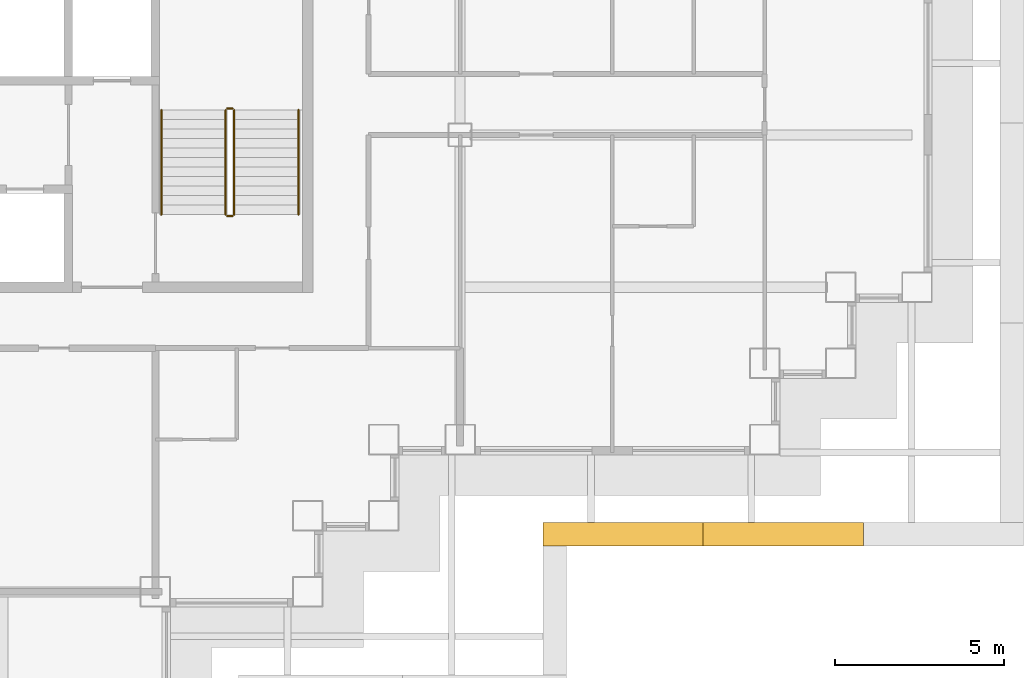
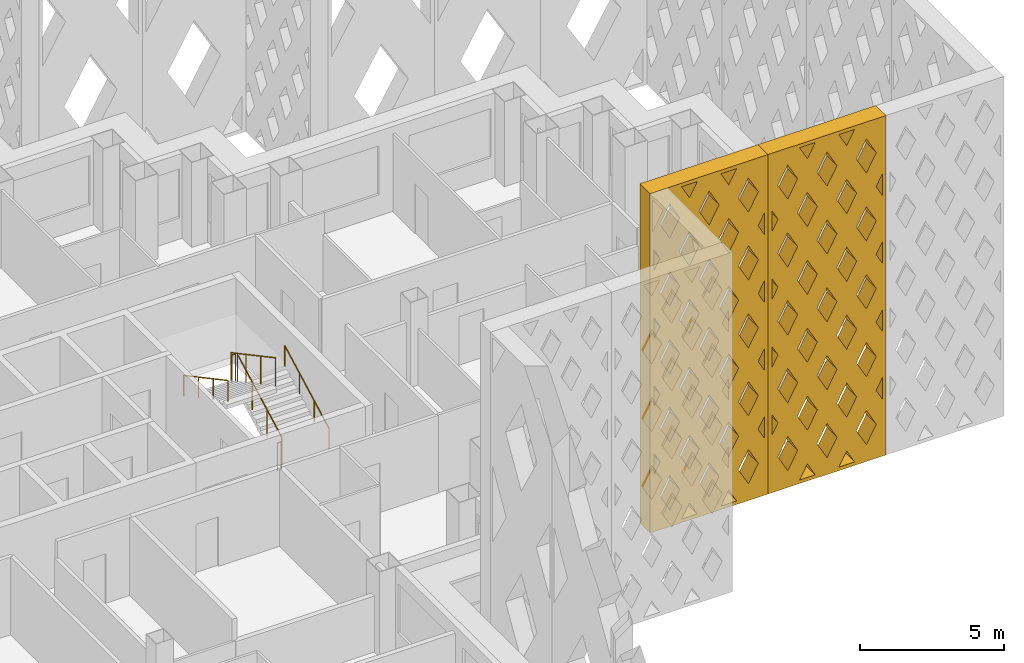
# One storey, part 16 of 21: 6 railings, 2 shading devices.
"""IFC4 building model written with IfcOpenShell, lengths in metres."""

from ifc_helpers import new_model, si_unit, direction, frame, origin, origin_2d, place, context, subcontext, project, spatial, polyline, circle, outline, extrude, material, type_object, element, save


model = new_model("IFC4")

# Units and contexts
model_context = context("Model", 3, precision=1e-05, world=origin(), true_north=direction((0.0, 1.0)))
body_context = subcontext(model_context, "Body", "Model", "MODEL_VIEW")
ifc_project = project(units=[si_unit("LENGTHUNIT", "METRE"), si_unit("AREAUNIT", "SQUARE_METRE"), si_unit("VOLUMEUNIT", "CUBIC_METRE"), si_unit("PLANEANGLEUNIT", "RADIAN"), si_unit("MASSUNIT", "GRAM", prefix="KILO")], contexts=[model_context])

# Site, building, storey
site_placement = place(None, origin())
site = spatial("IfcSite", under=ifc_project, at=site_placement, CompositionType="ELEMENT")
building_placement = place(site_placement, origin())
building = spatial("IfcBuilding", under=site, at=building_placement, Name="Caravel Reach Hotel and Residences", CompositionType="ELEMENT")
storey_placement = place(building_placement, frame((0.0, 0.0, 100.800048828125)))
storey = spatial("IfcBuildingStorey", under=building, at=storey_placement, Name="L24", CompositionType="ELEMENT", Elevation=100.800048828125)

# Shading devices
ifc_material_1 = material(Name="Black powder-coated aluminium", Category="aluminium")
shading_device_type = type_object("IfcShadingDeviceType", Name="Diamond lattice screen panel 4733 x 14400", PredefinedType="USERDEFINED", material=ifc_material_1)
shading_device_1_placement = place(storey_placement, frame((51.949951171875, 15.550048828125, 0.0), z_axis=(0.0, -1.0, 0.0), x_axis=(1.0, 0.0, 0.0)))
element("IfcShadingDevice", 1, at=shading_device_1_placement, inside=storey, type_object=shading_device_type, Name="Lattice screen L24-L27 6.1", ObjectType="SCREEN", PredefinedType="USERDEFINED", context=body_context, shape_type="SweptSolid", body=[
    extrude(outline(polyline([(0.0, 0.0), (4.7333984375, 0.0), (4.7333984375, 14.39990234375), (0.0, 14.39990234375), (0.0, 0.0)]), holes=[polyline([(0.39892578125, 2.8798828125), (0.14990234375, 3.334228515625), (0.14990234375, 2.42578125), (0.39892578125, 2.8798828125)]), polyline([(0.39892578125, 5.760009765625), (0.14990234375, 6.21435546875), (0.14990234375, 5.3056640625), (0.39892578125, 5.760009765625)]), polyline([(0.39892578125, 8.639892578125), (0.14990234375, 9.09423828125), (0.14990234375, 8.185791015625), (0.39892578125, 8.639892578125)]), polyline([(0.39892578125, 11.52001953125), (0.14990234375, 11.974365234375), (0.14990234375, 11.065673828125), (0.39892578125, 11.52001953125)]), polyline([(0.788818359375, 2.16796875), (0.39013671875, 1.43994140625), (0.788818359375, 0.7119140625), (1.187744140625, 1.43994140625), (0.788818359375, 2.16796875)]), polyline([(0.788818359375, 5.048095703125), (0.39013671875, 4.320068359375), (0.788818359375, 3.592041015625), (1.187744140625, 4.320068359375), (0.788818359375, 5.048095703125)]), polyline([(0.788818359375, 7.927978515625), (0.39013671875, 7.199951171875), (0.788818359375, 6.471923828125), (1.187744140625, 7.199951171875), (0.788818359375, 7.927978515625)]), polyline([(0.788818359375, 10.80810546875), (0.39013671875, 10.080078125), (0.788818359375, 9.35205078125), (1.187744140625, 10.080078125), (0.788818359375, 10.80810546875)]), polyline([(0.788818359375, 13.68798828125), (0.39013671875, 12.9599609375), (0.788818359375, 12.23193359375), (1.187744140625, 12.9599609375), (0.788818359375, 13.68798828125)]), polyline([(1.577880859375, 0.72802734375), (1.260986328125, 0.14990234375), (1.89453125, 0.14990234375), (1.577880859375, 0.72802734375)]), polyline([(1.577880859375, 3.608154296875), (1.178955078125, 2.8798828125), (1.577880859375, 2.15185546875), (1.9765625, 2.8798828125), (1.577880859375, 3.608154296875)]), polyline([(1.577880859375, 6.488037109375), (1.178955078125, 5.760009765625), (1.577880859375, 5.031982421875), (1.9765625, 5.760009765625), (1.577880859375, 6.488037109375)]), polyline([(1.577880859375, 9.3681640625), (1.178955078125, 8.639892578125), (1.577880859375, 7.911865234375), (1.9765625, 8.639892578125), (1.577880859375, 9.3681640625)]), polyline([(1.577880859375, 12.248046875), (1.178955078125, 11.52001953125), (1.577880859375, 10.7919921875), (1.9765625, 11.52001953125), (1.577880859375, 12.248046875)]), polyline([(1.577880859375, 13.671875), (1.89453125, 14.25), (1.260986328125, 14.25), (1.577880859375, 13.671875)]), polyline([(2.36669921875, 2.16796875), (1.9677734375, 1.43994140625), (2.36669921875, 0.7119140625), (2.765625, 1.43994140625), (2.36669921875, 2.16796875)]), polyline([(2.36669921875, 5.048095703125), (1.9677734375, 4.320068359375), (2.36669921875, 3.592041015625), (2.765625, 4.320068359375), (2.36669921875, 5.048095703125)]), polyline([(2.36669921875, 7.927978515625), (1.9677734375, 7.199951171875), (2.36669921875, 6.471923828125), (2.765625, 7.199951171875), (2.36669921875, 7.927978515625)]), polyline([(2.36669921875, 10.80810546875), (1.9677734375, 10.080078125), (2.36669921875, 9.35205078125), (2.765625, 10.080078125), (2.36669921875, 10.80810546875)]), polyline([(2.36669921875, 13.68798828125), (1.9677734375, 12.9599609375), (2.36669921875, 12.23193359375), (2.765625, 12.9599609375), (2.36669921875, 13.68798828125)]), polyline([(3.155517578125, 0.72802734375), (2.8388671875, 0.14990234375), (3.47216796875, 0.14990234375), (3.155517578125, 0.72802734375)]), polyline([(3.155517578125, 3.608154296875), (2.756591796875, 2.8798828125), (3.155517578125, 2.15185546875), (3.554443359375, 2.8798828125), (3.155517578125, 3.608154296875)]), polyline([(3.155517578125, 6.488037109375), (2.756591796875, 5.760009765625), (3.155517578125, 5.031982421875), (3.554443359375, 5.760009765625), (3.155517578125, 6.488037109375)]), polyline([(3.155517578125, 9.3681640625), (2.756591796875, 8.639892578125), (3.155517578125, 7.911865234375), (3.554443359375, 8.639892578125), (3.155517578125, 9.3681640625)]), polyline([(3.155517578125, 12.248046875), (2.756591796875, 11.52001953125), (3.155517578125, 10.7919921875), (3.554443359375, 11.52001953125), (3.155517578125, 12.248046875)]), polyline([(3.155517578125, 13.671875), (3.47216796875, 14.25), (2.8388671875, 14.25), (3.155517578125, 13.671875)]), polyline([(3.9443359375, 2.16796875), (3.545654296875, 1.43994140625), (3.9443359375, 0.7119140625), (4.34326171875, 1.43994140625), (3.9443359375, 2.16796875)]), polyline([(3.9443359375, 5.048095703125), (3.545654296875, 4.320068359375), (3.9443359375, 3.592041015625), (4.34326171875, 4.320068359375), (3.9443359375, 5.048095703125)]), polyline([(3.9443359375, 7.927978515625), (3.545654296875, 7.199951171875), (3.9443359375, 6.471923828125), (4.34326171875, 7.199951171875), (3.9443359375, 7.927978515625)]), polyline([(3.9443359375, 10.80810546875), (3.545654296875, 10.080078125), (3.9443359375, 9.35205078125), (4.34326171875, 10.080078125), (3.9443359375, 10.80810546875)]), polyline([(3.9443359375, 13.68798828125), (3.545654296875, 12.9599609375), (3.9443359375, 12.23193359375), (4.34326171875, 12.9599609375), (3.9443359375, 13.68798828125)]), polyline([(4.33447265625, 2.8798828125), (4.583251953125, 2.42578125), (4.583251953125, 3.334228515625), (4.33447265625, 2.8798828125)]), polyline([(4.33447265625, 5.760009765625), (4.583251953125, 5.3056640625), (4.583251953125, 6.21435546875), (4.33447265625, 5.760009765625)]), polyline([(4.33447265625, 8.639892578125), (4.583251953125, 8.185791015625), (4.583251953125, 9.09423828125), (4.33447265625, 8.639892578125)]), polyline([(4.33447265625, 11.52001953125), (4.583251953125, 11.065673828125), (4.583251953125, 11.974365234375), (4.33447265625, 11.52001953125)])]), origin(), (0.0, 0.0, 1.0), 0.699951171875),
])
shading_device_2_placement = place(storey_placement, frame((56.683349609375, 15.550048828125, 0.0), z_axis=(0.0, -1.0, 0.0), x_axis=(1.0, 0.0, 0.0)))
element("IfcShadingDevice", 2, at=shading_device_2_placement, inside=storey, type_object=shading_device_type, Name="Lattice screen L24-L27 6.2", ObjectType="SCREEN", PredefinedType="USERDEFINED", context=body_context, shape_type="SweptSolid", body=[
    extrude(outline(polyline([(0.0, 0.0), (4.7333984375, 0.0), (4.7333984375, 14.39990234375), (0.0, 14.39990234375), (0.0, 0.0)]), holes=[polyline([(0.39892578125, 2.8798828125), (0.14990234375, 3.334228515625), (0.14990234375, 2.42578125), (0.39892578125, 2.8798828125)]), polyline([(0.39892578125, 5.760009765625), (0.14990234375, 6.21435546875), (0.14990234375, 5.3056640625), (0.39892578125, 5.760009765625)]), polyline([(0.39892578125, 8.639892578125), (0.14990234375, 9.09423828125), (0.14990234375, 8.185791015625), (0.39892578125, 8.639892578125)]), polyline([(0.39892578125, 11.52001953125), (0.14990234375, 11.974365234375), (0.14990234375, 11.065673828125), (0.39892578125, 11.52001953125)]), polyline([(0.788818359375, 2.16796875), (0.39013671875, 1.43994140625), (0.788818359375, 0.7119140625), (1.187744140625, 1.43994140625), (0.788818359375, 2.16796875)]), polyline([(0.788818359375, 5.048095703125), (0.39013671875, 4.320068359375), (0.788818359375, 3.592041015625), (1.187744140625, 4.320068359375), (0.788818359375, 5.048095703125)]), polyline([(0.788818359375, 7.927978515625), (0.39013671875, 7.199951171875), (0.788818359375, 6.471923828125), (1.187744140625, 7.199951171875), (0.788818359375, 7.927978515625)]), polyline([(0.788818359375, 10.80810546875), (0.39013671875, 10.080078125), (0.788818359375, 9.35205078125), (1.187744140625, 10.080078125), (0.788818359375, 10.80810546875)]), polyline([(0.788818359375, 13.68798828125), (0.39013671875, 12.9599609375), (0.788818359375, 12.23193359375), (1.187744140625, 12.9599609375), (0.788818359375, 13.68798828125)]), polyline([(1.577880859375, 0.72802734375), (1.260986328125, 0.14990234375), (1.89453125, 0.14990234375), (1.577880859375, 0.72802734375)]), polyline([(1.577880859375, 3.608154296875), (1.178955078125, 2.8798828125), (1.577880859375, 2.15185546875), (1.9765625, 2.8798828125), (1.577880859375, 3.608154296875)]), polyline([(1.577880859375, 6.488037109375), (1.178955078125, 5.760009765625), (1.577880859375, 5.031982421875), (1.9765625, 5.760009765625), (1.577880859375, 6.488037109375)]), polyline([(1.577880859375, 9.3681640625), (1.178955078125, 8.639892578125), (1.577880859375, 7.911865234375), (1.9765625, 8.639892578125), (1.577880859375, 9.3681640625)]), polyline([(1.577880859375, 12.248046875), (1.178955078125, 11.52001953125), (1.577880859375, 10.7919921875), (1.9765625, 11.52001953125), (1.577880859375, 12.248046875)]), polyline([(1.577880859375, 13.671875), (1.89453125, 14.25), (1.260986328125, 14.25), (1.577880859375, 13.671875)]), polyline([(2.36669921875, 2.16796875), (1.9677734375, 1.43994140625), (2.36669921875, 0.7119140625), (2.765625, 1.43994140625), (2.36669921875, 2.16796875)]), polyline([(2.36669921875, 5.048095703125), (1.9677734375, 4.320068359375), (2.36669921875, 3.592041015625), (2.765625, 4.320068359375), (2.36669921875, 5.048095703125)]), polyline([(2.36669921875, 7.927978515625), (1.9677734375, 7.199951171875), (2.36669921875, 6.471923828125), (2.765625, 7.199951171875), (2.36669921875, 7.927978515625)]), polyline([(2.36669921875, 10.80810546875), (1.9677734375, 10.080078125), (2.36669921875, 9.35205078125), (2.765625, 10.080078125), (2.36669921875, 10.80810546875)]), polyline([(2.36669921875, 13.68798828125), (1.9677734375, 12.9599609375), (2.36669921875, 12.23193359375), (2.765625, 12.9599609375), (2.36669921875, 13.68798828125)]), polyline([(3.155517578125, 0.72802734375), (2.8388671875, 0.14990234375), (3.47216796875, 0.14990234375), (3.155517578125, 0.72802734375)]), polyline([(3.155517578125, 3.608154296875), (2.756591796875, 2.8798828125), (3.155517578125, 2.15185546875), (3.554443359375, 2.8798828125), (3.155517578125, 3.608154296875)]), polyline([(3.155517578125, 6.488037109375), (2.756591796875, 5.760009765625), (3.155517578125, 5.031982421875), (3.554443359375, 5.760009765625), (3.155517578125, 6.488037109375)]), polyline([(3.155517578125, 9.3681640625), (2.756591796875, 8.639892578125), (3.155517578125, 7.911865234375), (3.554443359375, 8.639892578125), (3.155517578125, 9.3681640625)]), polyline([(3.155517578125, 12.248046875), (2.756591796875, 11.52001953125), (3.155517578125, 10.7919921875), (3.554443359375, 11.52001953125), (3.155517578125, 12.248046875)]), polyline([(3.155517578125, 13.671875), (3.47216796875, 14.25), (2.8388671875, 14.25), (3.155517578125, 13.671875)]), polyline([(3.9443359375, 2.16796875), (3.545654296875, 1.43994140625), (3.9443359375, 0.7119140625), (4.34326171875, 1.43994140625), (3.9443359375, 2.16796875)]), polyline([(3.9443359375, 5.048095703125), (3.545654296875, 4.320068359375), (3.9443359375, 3.592041015625), (4.34326171875, 4.320068359375), (3.9443359375, 5.048095703125)]), polyline([(3.9443359375, 7.927978515625), (3.545654296875, 7.199951171875), (3.9443359375, 6.471923828125), (4.34326171875, 7.199951171875), (3.9443359375, 7.927978515625)]), polyline([(3.9443359375, 10.80810546875), (3.545654296875, 10.080078125), (3.9443359375, 9.35205078125), (4.34326171875, 10.080078125), (3.9443359375, 10.80810546875)]), polyline([(3.9443359375, 13.68798828125), (3.545654296875, 12.9599609375), (3.9443359375, 12.23193359375), (4.34326171875, 12.9599609375), (3.9443359375, 13.68798828125)]), polyline([(4.33447265625, 2.8798828125), (4.583251953125, 2.42578125), (4.583251953125, 3.334228515625), (4.33447265625, 2.8798828125)]), polyline([(4.33447265625, 5.760009765625), (4.583251953125, 5.3056640625), (4.583251953125, 6.21435546875), (4.33447265625, 5.760009765625)]), polyline([(4.33447265625, 8.639892578125), (4.583251953125, 8.185791015625), (4.583251953125, 9.09423828125), (4.33447265625, 8.639892578125)]), polyline([(4.33447265625, 11.52001953125), (4.583251953125, 11.065673828125), (4.583251953125, 11.974365234375), (4.33447265625, 11.52001953125)])]), origin(), (0.0, 0.0, 1.0), 0.699951171875),
])

# Railings
ifc_material_2 = material(Name="Steel balustrade with glass infill", Category="steel")
railing_type_1 = type_object("IfcRailingType", Name="Guard 1200", PredefinedType="GUARDRAIL", material=ifc_material_2)
railing_1_placement = place(storey_placement, frame((42.824951171875, 24.64990234375, 0.14990234375)))
element("IfcRailing", 3, at=railing_1_placement, inside=storey, type_object=railing_type_1, Name="L24 ST-B stair guard 1", PredefinedType="GUARDRAIL", context=body_context, shape_type="SweptSolid", body=[
    extrude(circle(Radius=0.02392578125, at=origin_2d()), frame((0.0, 0.0, 1.17578125), z_axis=(0.0, 0.881467505477, 0.472244678941), x_axis=(-1.0, 0.0, 0.0)), (0.0, 0.0, 1.0), 3.494140625),
    extrude(circle(Radius=0.02099609375, at=origin_2d()), origin(), (0.0, 0.0, 1.0), 1.15185546875),
    extrude(circle(Radius=0.02099609375, at=origin_2d()), frame((0.0, 1.026611328125, 0.550048828125)), (0.0, 0.0, 1.0), 1.15185546875),
    extrude(circle(Radius=0.02099609375, at=origin_2d()), frame((0.0, 2.053466796875, 1.10009765625)), (0.0, 0.0, 1.0), 1.15185546875),
    extrude(circle(Radius=0.02099609375, at=origin_2d()), frame((0.0, 3.080078125, 1.650146484375)), (0.0, 0.0, 1.0), 1.15185546875),
])
railing_2_placement = place(storey_placement, frame((42.77490234375, 27.780029296875, 1.800048828125)))
element("IfcRailing", 4, at=railing_2_placement, inside=storey, type_object=railing_type_1, Name="L24 ST-B stair guard 2", PredefinedType="GUARDRAIL", context=body_context, shape_type="SweptSolid", body=[
    extrude(circle(Radius=0.02392578125, at=origin_2d()), frame((0.0, 0.0, 1.17578125), z_axis=(-1.0, 0.0, 0.0), x_axis=(0.0, -1.0, 0.0)), (0.0, 0.0, 1.0), 0.14990234375),
    extrude(circle(Radius=0.02099609375, at=origin_2d()), origin(), (0.0, 0.0, 1.0), 1.15185546875),
    extrude(circle(Radius=0.02099609375, at=origin_2d()), frame((-0.14990234375, 0.0, 0.0)), (0.0, 0.0, 1.0), 1.15185546875),
])
railing_3_placement = place(storey_placement, frame((42.574951171875, 27.72998046875, 1.949951171875)))
element("IfcRailing", 5, at=railing_3_placement, inside=storey, type_object=railing_type_1, Name="L24 ST-B stair guard 3", PredefinedType="GUARDRAIL", context=body_context, shape_type="SweptSolid", body=[
    extrude(circle(Radius=0.02392578125, at=origin_2d()), frame((0.0, 0.0, 1.17578125), z_axis=(0.0, -0.881496589024, 0.472190389079), x_axis=(1.0, 0.0, 0.0)), (0.0, 0.0, 1.0), 3.494140625),
    extrude(circle(Radius=0.02099609375, at=origin_2d()), origin(), (0.0, 0.0, 1.0), 1.15185546875),
    extrude(circle(Radius=0.02099609375, at=origin_2d()), frame((0.0, -1.026611328125, 0.550048828125)), (0.0, 0.0, 1.0), 1.15185546875),
    extrude(circle(Radius=0.02099609375, at=origin_2d()), frame((0.0, -2.053466796875, 1.099853515625)), (0.0, 0.0, 1.0), 1.15185546875),
    extrude(circle(Radius=0.02099609375, at=origin_2d()), frame((0.0, -3.080078125, 1.64990234375)), (0.0, 0.0, 1.0), 1.15185546875),
])
railing_4_placement = place(storey_placement, frame((42.77490234375, 24.60009765625, 0.0)))
element("IfcRailing", 6, at=railing_4_placement, inside=storey, type_object=railing_type_1, Name="L24 ST-B stair guard 4", PredefinedType="GUARDRAIL", context=body_context, shape_type="SweptSolid", body=[
    extrude(circle(Radius=0.02392578125, at=origin_2d()), frame((0.0, 0.0, 1.17578125), z_axis=(-1.0, 0.0, 0.0), x_axis=(0.0, -1.0, 0.0)), (0.0, 0.0, 1.0), 0.14990234375),
    extrude(circle(Radius=0.02099609375, at=origin_2d()), origin(), (0.0, 0.0, 1.0), 1.15185546875),
    extrude(circle(Radius=0.02099609375, at=origin_2d()), frame((-0.14990234375, 0.0, 0.0)), (0.0, 0.0, 1.0), 1.15185546875),
])
ifc_material_3 = material(Name="Stainless steel handrail", Category="steel")
railing_type_2 = type_object("IfcRailingType", Name="Handrail 900", PredefinedType="HANDRAIL", material=ifc_material_3)
railing_5_placement = place(storey_placement, frame((44.72509765625, 24.64990234375, 0.14990234375)))
element("IfcRailing", 7, at=railing_5_placement, inside=storey, type_object=railing_type_2, Name="L24 ST-B stair handrail 1", PredefinedType="HANDRAIL", context=body_context, shape_type="SweptSolid", body=[
    extrude(circle(Radius=0.02392578125, at=origin_2d()), frame((0.0, 0.0, 0.8759765625), z_axis=(0.0, 0.881467505477, 0.472244678941), x_axis=(-1.0, 0.0, 0.0)), (0.0, 0.0, 1.0), 3.494140625),
    extrude(circle(Radius=0.02099609375, at=origin_2d()), origin(), (0.0, 0.0, 1.0), 0.851806640625),
    extrude(circle(Radius=0.02099609375, at=origin_2d()), frame((0.0, 1.026611328125, 0.550048828125)), (0.0, 0.0, 1.0), 0.851806640625),
    extrude(circle(Radius=0.02099609375, at=origin_2d()), frame((0.0, 2.053466796875, 1.10009765625)), (0.0, 0.0, 1.0), 0.851806640625),
    extrude(circle(Radius=0.02099609375, at=origin_2d()), frame((0.0, 3.080078125, 1.650146484375)), (0.0, 0.0, 1.0), 0.851806640625),
])
railing_6_placement = place(storey_placement, frame((40.675048828125, 27.72998046875, 1.949951171875)))
element("IfcRailing", 8, at=railing_6_placement, inside=storey, type_object=railing_type_2, Name="L24 ST-B stair handrail 2", PredefinedType="HANDRAIL", context=body_context, shape_type="SweptSolid", body=[
    extrude(circle(Radius=0.02392578125, at=origin_2d()), frame((0.0, 0.0, 0.8759765625), z_axis=(0.0, -0.881496589024, 0.472190389079), x_axis=(1.0, 0.0, 0.0)), (0.0, 0.0, 1.0), 3.494140625),
    extrude(circle(Radius=0.02099609375, at=origin_2d()), origin(), (0.0, 0.0, 1.0), 0.851806640625),
    extrude(circle(Radius=0.02099609375, at=origin_2d()), frame((0.0, -1.026611328125, 0.550048828125)), (0.0, 0.0, 1.0), 0.851806640625),
    extrude(circle(Radius=0.02099609375, at=origin_2d()), frame((0.0, -2.053466796875, 1.099853515625)), (0.0, 0.0, 1.0), 0.851806640625),
    extrude(circle(Radius=0.02099609375, at=origin_2d()), frame((0.0, -3.080078125, 1.64990234375)), (0.0, 0.0, 1.0), 0.851806640625),
])

save(model, "model.ifc")
